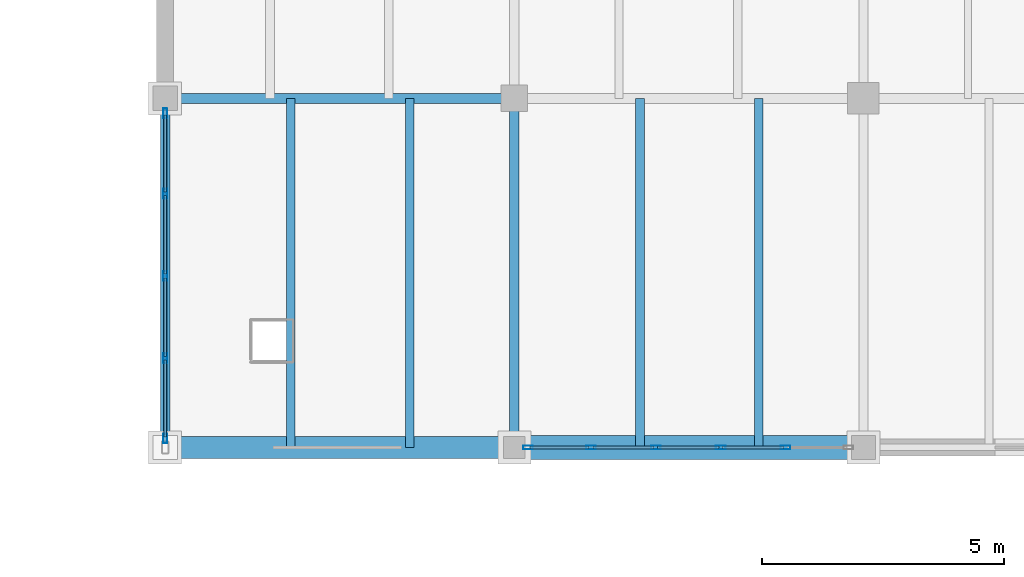
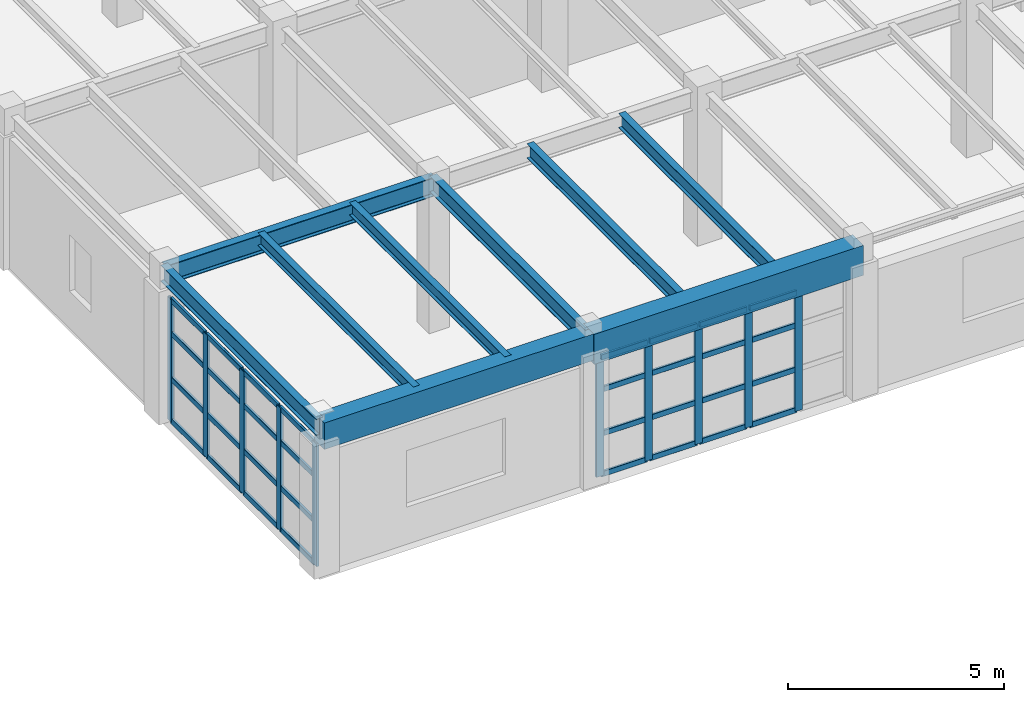
# One storey, part 55 of 137: 42 members, 9 beams, 2 elements without a shape of their own.
"""IFC4 building model written with IfcOpenShell, lengths in metres."""

from ifc_helpers import new_model, si_unit, direction, frame, origin, origin_2d, place, context, subcontext, project, spatial, rectangle, hollow_rectangle, i_section, extrude, material, layer, layer_set, material_profile, profile_set, type_object, element, aggregate, save


model = new_model("IFC4")

# Units and contexts
model_context = context("Model", 3, precision=1e-05, world=origin(), true_north=direction((0.0, 1.0)))
body_context = subcontext(model_context, "Body", "Model", "MODEL_VIEW")
ifc_project = project(units=[si_unit("LENGTHUNIT", "METRE"), si_unit("AREAUNIT", "SQUARE_METRE"), si_unit("VOLUMEUNIT", "CUBIC_METRE"), si_unit("PLANEANGLEUNIT", "RADIAN"), si_unit("MASSUNIT", "GRAM", prefix="KILO")], contexts=[model_context])

# Site, building, storey
site_placement = place(None, origin())
site = spatial("IfcSite", under=ifc_project, at=site_placement, CompositionType="ELEMENT")
building_placement = place(site_placement, origin())
building = spatial("IfcBuilding", under=site, at=building_placement, Name="Kemerveld Promenade Tramway Depot", CompositionType="ELEMENT")
storey_placement = place(building_placement, frame((0.0, 0.0, 5.39990234375)))
storey = spatial("IfcBuildingStorey", under=building, at=storey_placement, Name="L01", CompositionType="ELEMENT", Elevation=5.39990234375)

# Beams
ifc_material_1 = material(Name="Steel S355", Category="steel")
ifc_material_profile_1 = material_profile(ifc_material_1, i_section(OverallWidth=0.2099609375, OverallDepth=0.53662109375, WebThickness=0.0107421875, FlangeThickness=0.017333984375, FilletRadius=0.0126953125, at=origin_2d()), Name="533x210x101 UB")
ifc_profile_set_1 = profile_set([ifc_material_profile_1], Name="Steel S355")
beam_type_1 = type_object("IfcBeamType", Name="BM-G05", PredefinedType="BEAM", material=ifc_profile_set_1)
beam_1_placement = place(storey_placement, frame((115.199951171875, 57.60009765625, 3.9716796875), z_axis=(1.0, 0.0, 0.0), x_axis=(0.0, 1.0, 0.0)))
element("IfcBeam", 1, at=beam_1_placement, inside=storey, type_object=beam_type_1, Name="BMX-L01-17-18-J", PredefinedType="BEAM", context=body_context, shape_type="SweptSolid", body=[
    extrude(i_section(OverallWidth=0.2099609375, OverallDepth=0.53662109375, WebThickness=0.0107421875, FlangeThickness=0.017333984375, FilletRadius=0.0126953125, at=origin_2d()), origin(), (0.0, 0.0, 1.0), 7.199951171875),
])
ifc_material_profile_2 = material_profile(ifc_material_1, i_section(OverallWidth=0.19140625, OverallDepth=0.4599609375, WebThickness=0.010009765625, FlangeThickness=0.01611328125, FilletRadius=0.01025390625, at=origin_2d()), Name="457x191x82 UB")
ifc_profile_set_2 = profile_set([ifc_material_profile_2], Name="Steel S355")
beam_type_2 = type_object("IfcBeamType", Name="BM-G06", PredefinedType="BEAM", material=ifc_profile_set_2)
for number, where, z_axis, x_axis, name in (
    (2, (115.199951171875, 50.39990234375, 4.010009765625), (0.0, 1.0, 0.0), (-1.0, 0.0, 0.0), "BMY-L01-17-H-J"),
    (3, (122.39990234375, 50.39990234375, 4.010009765625), (0.0, 1.0, 0.0), (-1.0, 0.0, 0.0), "BMY-L01-18-H-J"),
):
    element("IfcBeam", number, at=place(storey_placement, frame(where, z_axis=z_axis, x_axis=x_axis)), inside=storey, type_object=beam_type_2, Name=name, PredefinedType="BEAM", context=body_context, shape_type="SweptSolid", body=[
        extrude(i_section(OverallWidth=0.19140625, OverallDepth=0.4599609375, WebThickness=0.010009765625, FlangeThickness=0.01611328125, FilletRadius=0.01025390625, at=origin_2d()), origin(), (0.0, 0.0, 1.0), 7.2001953125),
    ])
ifc_material_profile_3 = material_profile(ifc_material_1, i_section(OverallWidth=0.172119140625, OverallDepth=0.35791015625, WebThickness=0.008056640625, FlangeThickness=0.012939453125, FilletRadius=0.01025390625, at=origin_2d()), Name="356x171x57 UB")
ifc_profile_set_3 = profile_set([ifc_material_profile_3], Name="Steel S355")
beam_type_3 = type_object("IfcBeamType", Name="BM-J04", PredefinedType="JOIST", material=ifc_profile_set_3)
for number, where, z_axis, x_axis, name in (
    (4, (117.7919921875, 50.39990234375, 4.06103515625), (0.0, 1.0, 0.0), (-1.0, 0.0, 0.0), "JST-L01-17-H-1"),
    (5, (120.239990234375, 50.39990234375, 4.06103515625), (0.0, 1.0, 0.0), (-1.0, 0.0, 0.0), "JST-L01-17-H-2"),
):
    element("IfcBeam", number, at=place(storey_placement, frame(where, z_axis=z_axis, x_axis=x_axis)), inside=storey, type_object=beam_type_3, Name=name, PredefinedType="JOIST", context=body_context, shape_type="SweptSolid", body=[
        extrude(i_section(OverallWidth=0.172119140625, OverallDepth=0.35791015625, WebThickness=0.008056640625, FlangeThickness=0.012939453125, FilletRadius=0.01025390625, at=origin_2d()), origin(), (0.0, 0.0, 1.0), 7.2001953125),
    ])
ifc_material_profile_4 = material_profile(ifc_material_1, i_section(OverallWidth=0.1787109375, OverallDepth=0.409423828125, WebThickness=0.0087890625, FlangeThickness=0.014404296875, FilletRadius=0.01025390625, at=origin_2d()), Name="406x178x67 UB")
ifc_profile_set_4 = profile_set([ifc_material_profile_4], Name="Steel S355")
beam_type_4 = type_object("IfcBeamType", Name="BM-J05", PredefinedType="JOIST", material=ifc_profile_set_4)
for number, where, z_axis, x_axis, name in (
    (6, (124.991943359375, 50.39990234375, 4.035400390625), (0.0, 1.0, 0.0), (-1.0, 0.0, 0.0), "JST-L01-18-H-1"),
    (7, (127.43994140625, 50.39990234375, 4.035400390625), (0.0, 1.0, 0.0), (-1.0, 0.0, 0.0), "JST-L01-18-H-2"),
):
    element("IfcBeam", number, at=place(storey_placement, frame(where, z_axis=z_axis, x_axis=x_axis)), inside=storey, type_object=beam_type_4, Name=name, PredefinedType="JOIST", context=body_context, shape_type="SweptSolid", body=[
        extrude(i_section(OverallWidth=0.1787109375, OverallDepth=0.409423828125, WebThickness=0.0087890625, FlangeThickness=0.014404296875, FilletRadius=0.01025390625, at=origin_2d()), origin(), (0.0, 0.0, 1.0), 7.2001953125),
    ])
ifc_material_2 = material(Name="Concrete C40/50", Category="concrete")
ifc_material_profile_5 = material_profile(ifc_material_2, rectangle(XDim=0.449951171875, YDim=0.75, at=origin_2d()), Name="RC-BM-450x750")
ifc_profile_set_5 = profile_set([ifc_material_profile_5], Name="Concrete C40/50")
beam_type_5 = type_object("IfcBeamType", Name="BM-RC6", PredefinedType="BEAM", material=ifc_profile_set_5)
beam_2_placement = place(storey_placement, frame((115.199951171875, 50.39990234375, 3.864990234375), z_axis=(1.0, 0.0, 0.0), x_axis=(0.0, 1.0, 0.0)))
element("IfcBeam", 8, at=beam_2_placement, inside=storey, type_object=beam_type_5, Name="BMX-L01-17-18-H", PredefinedType="BEAM", context=body_context, shape_type="SweptSolid", body=[
    extrude(rectangle(XDim=0.449951171875, YDim=0.75, at=origin_2d()), origin(), (0.0, 0.0, 1.0), 7.199951171875),
])
ifc_material_profile_6 = material_profile(ifc_material_2, rectangle(XDim=0.5, YDim=0.85009765625, at=origin_2d()), Name="RC-BM-500x850")
ifc_profile_set_6 = profile_set([ifc_material_profile_6], Name="Concrete C40/50")
beam_type_6 = type_object("IfcBeamType", Name="BM-RC7", PredefinedType="BEAM", material=ifc_profile_set_6)
beam_3_placement = place(storey_placement, frame((122.39990234375, 50.39990234375, 3.815185546875), z_axis=(1.0, 0.0, 0.0), x_axis=(0.0, 1.0, 0.0)))
element("IfcBeam", 9, at=beam_3_placement, inside=storey, type_object=beam_type_6, Name="BMX-L01-18-19-H", PredefinedType="BEAM", context=body_context, shape_type="SweptSolid", body=[
    extrude(rectangle(XDim=0.5, YDim=0.85009765625, at=origin_2d()), origin(), (0.0, 0.0, 1.0), 7.2001953125),
])

# Curtain wall, members
ifc_material_3 = material(Name="Bronze anodised aluminium and solar glass", Category="aluminium")
ifc_layer_1 = layer(ifc_material_3, 0.199951171875)
ifc_layer_set_1 = layer_set([ifc_layer_1], Name="CW-SYS-04")
curtain_wall_type_1 = type_object("IfcCurtainWallType", Name="CW-SYS-04", PredefinedType="USERDEFINED", material=ifc_layer_set_1)
curtain_wall_1_placement = place(storey_placement, origin())
curtain_wall_1 = element("IfcCurtainWall", 10, at=curtain_wall_1_placement, inside=storey, type_object=curtain_wall_type_1, Name="CW-L01-V3W-01", ObjectType="GLAZED_CURTAIN_WALL", PredefinedType="USERDEFINED")
ifc_material_4 = material(Name="Bronze anodised aluminium", Category="aluminium")
ifc_material_profile_7 = material_profile(ifc_material_4, hollow_rectangle(XDim=0.074951171875, YDim=0.199951171875, WallThickness=0.0048828125, InnerFilletRadius=0.001953125, OuterFilletRadius=0.0048828125, at=origin_2d()), Name="CW-MUL-200x75")
ifc_profile_set_7 = profile_set([ifc_material_profile_7], Name="Bronze anodised aluminium")
member_type_1 = type_object("IfcMemberType", Name="CW-MUL-B", PredefinedType="MULLION", material=ifc_profile_set_7)
member_1_placement = place(storey_placement, frame((115.199951171875, 50.58251953125, 0.0), z_axis=(0.0, 0.0, 1.0), x_axis=(-1.0, 0.0, 0.0)))
member_1 = element("IfcMember", 11, at=member_1_placement, type_object=member_type_1, Name="CW04 mullion 1", PredefinedType="MULLION", context=body_context, shape_type="SweptSolid", body=[
    extrude(hollow_rectangle(XDim=0.074951171875, YDim=0.199951171875, WallThickness=0.0048828125, InnerFilletRadius=0.001953125, OuterFilletRadius=0.0048828125, at=origin_2d()), origin(), (0.0, 0.0, 1.0), 3.47021484375),
])
member_2_placement = place(storey_placement, frame((115.199951171875, 52.2412109375, 0.0), z_axis=(0.0, 0.0, 1.0), x_axis=(-1.0, 0.0, 0.0)))
member_2 = element("IfcMember", 12, at=member_2_placement, type_object=member_type_1, Name="CW04 mullion 2", PredefinedType="MULLION", context=body_context, shape_type="SweptSolid", body=[
    extrude(hollow_rectangle(XDim=0.074951171875, YDim=0.199951171875, WallThickness=0.0048828125, InnerFilletRadius=0.001953125, OuterFilletRadius=0.0048828125, at=origin_2d()), origin(), (0.0, 0.0, 1.0), 3.47021484375),
])
member_3_placement = place(storey_placement, frame((115.199951171875, 53.9375, 0.0), z_axis=(0.0, 0.0, 1.0), x_axis=(-1.0, 0.0, 0.0)))
member_3 = element("IfcMember", 13, at=member_3_placement, type_object=member_type_1, Name="CW04 mullion 3", PredefinedType="MULLION", context=body_context, shape_type="SweptSolid", body=[
    extrude(hollow_rectangle(XDim=0.074951171875, YDim=0.199951171875, WallThickness=0.0048828125, InnerFilletRadius=0.001953125, OuterFilletRadius=0.0048828125, at=origin_2d()), origin(), (0.0, 0.0, 1.0), 3.47021484375),
])
member_4_placement = place(storey_placement, frame((115.199951171875, 55.6337890625, 0.0), z_axis=(0.0, 0.0, 1.0), x_axis=(-1.0, 0.0, 0.0)))
member_4 = element("IfcMember", 14, at=member_4_placement, type_object=member_type_1, Name="CW04 mullion 4", PredefinedType="MULLION", context=body_context, shape_type="SweptSolid", body=[
    extrude(hollow_rectangle(XDim=0.074951171875, YDim=0.199951171875, WallThickness=0.0048828125, InnerFilletRadius=0.001953125, OuterFilletRadius=0.0048828125, at=origin_2d()), origin(), (0.0, 0.0, 1.0), 3.47021484375),
])
member_5_placement = place(storey_placement, frame((115.199951171875, 57.29248046875, 0.0), z_axis=(0.0, 0.0, 1.0), x_axis=(-1.0, 0.0, 0.0)))
member_5 = element("IfcMember", 15, at=member_5_placement, type_object=member_type_1, Name="CW04 mullion 5", PredefinedType="MULLION", context=body_context, shape_type="SweptSolid", body=[
    extrude(hollow_rectangle(XDim=0.074951171875, YDim=0.199951171875, WallThickness=0.0048828125, InnerFilletRadius=0.001953125, OuterFilletRadius=0.0048828125, at=origin_2d()), origin(), (0.0, 0.0, 1.0), 3.47021484375),
])

ifc_layer_2 = layer(ifc_material_3, 0.199951171875)
ifc_layer_set_2 = layer_set([ifc_layer_2], Name="CW-SYS-08")
curtain_wall_type_2 = type_object("IfcCurtainWallType", Name="CW-SYS-08", PredefinedType="USERDEFINED", material=ifc_layer_set_2)
curtain_wall_2_placement = place(storey_placement, origin())
curtain_wall_2 = element("IfcCurtainWall", 16, at=curtain_wall_2_placement, inside=storey, type_object=curtain_wall_type_2, Name="CW-L01-V3S-05", ObjectType="GLAZED_CURTAIN_WALL", PredefinedType="USERDEFINED")
member_6_placement = place(storey_placement, frame((127.992919921875, 50.39990234375, 0.0), z_axis=(0.0, 0.0, 1.0), x_axis=(0.0, -1.0, 0.0)))
member_6 = element("IfcMember", 17, at=member_6_placement, type_object=member_type_1, Name="CW08 mullion 2", PredefinedType="MULLION", context=body_context, shape_type="SweptSolid", body=[
    extrude(hollow_rectangle(XDim=0.074951171875, YDim=0.199951171875, WallThickness=0.0048828125, InnerFilletRadius=0.001953125, OuterFilletRadius=0.0048828125, at=origin_2d()), origin(), (0.0, 0.0, 1.0), 3.3701171875),
])
member_7_placement = place(storey_placement, frame((126.656005859375, 50.39990234375, 0.0), z_axis=(0.0, 0.0, 1.0), x_axis=(0.0, -1.0, 0.0)))
member_7 = element("IfcMember", 18, at=member_7_placement, type_object=member_type_1, Name="CW08 mullion 3", PredefinedType="MULLION", context=body_context, shape_type="SweptSolid", body=[
    extrude(hollow_rectangle(XDim=0.074951171875, YDim=0.199951171875, WallThickness=0.0048828125, InnerFilletRadius=0.001953125, OuterFilletRadius=0.0048828125, at=origin_2d()), origin(), (0.0, 0.0, 1.0), 3.3701171875),
])
member_8_placement = place(storey_placement, frame((125.319091796875, 50.39990234375, 0.0), z_axis=(0.0, 0.0, 1.0), x_axis=(0.0, -1.0, 0.0)))
member_8 = element("IfcMember", 19, at=member_8_placement, type_object=member_type_1, Name="CW08 mullion 4", PredefinedType="MULLION", context=body_context, shape_type="SweptSolid", body=[
    extrude(hollow_rectangle(XDim=0.074951171875, YDim=0.199951171875, WallThickness=0.0048828125, InnerFilletRadius=0.001953125, OuterFilletRadius=0.0048828125, at=origin_2d()), origin(), (0.0, 0.0, 1.0), 3.3701171875),
])
member_9_placement = place(storey_placement, frame((123.98193359375, 50.39990234375, 0.0), z_axis=(0.0, 0.0, 1.0), x_axis=(0.0, -1.0, 0.0)))
member_9 = element("IfcMember", 20, at=member_9_placement, type_object=member_type_1, Name="CW08 mullion 5", PredefinedType="MULLION", context=body_context, shape_type="SweptSolid", body=[
    extrude(hollow_rectangle(XDim=0.074951171875, YDim=0.199951171875, WallThickness=0.0048828125, InnerFilletRadius=0.001953125, OuterFilletRadius=0.0048828125, at=origin_2d()), origin(), (0.0, 0.0, 1.0), 3.3701171875),
])
member_10_placement = place(storey_placement, frame((122.6826171875, 50.39990234375, 0.0), z_axis=(0.0, 0.0, 1.0), x_axis=(0.0, -1.0, 0.0)))
member_10 = element("IfcMember", 21, at=member_10_placement, type_object=member_type_1, Name="CW08 mullion 6", PredefinedType="MULLION", context=body_context, shape_type="SweptSolid", body=[
    extrude(hollow_rectangle(XDim=0.074951171875, YDim=0.199951171875, WallThickness=0.0048828125, InnerFilletRadius=0.001953125, OuterFilletRadius=0.0048828125, at=origin_2d()), origin(), (0.0, 0.0, 1.0), 3.3701171875),
])

# Member
ifc_material_profile_8 = material_profile(ifc_material_4, hollow_rectangle(XDim=0.06494140625, YDim=0.14990234375, WallThickness=0.00439453125, InnerFilletRadius=0.001953125, OuterFilletRadius=0.00439453125, at=origin_2d()), Name="CW-TRN-150x65")
ifc_profile_set_8 = profile_set([ifc_material_profile_8], Name="Bronze anodised aluminium")
member_type_2 = type_object("IfcMemberType", Name="CW-TRN-B", PredefinedType="USERDEFINED", material=ifc_profile_set_8)
member_11_placement = place(storey_placement, frame((115.199951171875, 50.6201171875, 0.03271484375), z_axis=(0.0, 1.0, 0.0), x_axis=(-1.0, 0.0, 0.0)))
member_11 = element("IfcMember", 22, at=member_11_placement, type_object=member_type_2, Name="CW04 transom 1.1", ObjectType="TRANSOM", PredefinedType="USERDEFINED", context=body_context, shape_type="SweptSolid", body=[
    extrude(hollow_rectangle(XDim=0.06494140625, YDim=0.14990234375, WallThickness=0.00439453125, InnerFilletRadius=0.001953125, OuterFilletRadius=0.00439453125, at=origin_2d()), origin(), (0.0, 0.0, 1.0), 1.583740234375),
])

member_12_placement = place(storey_placement, frame((115.199951171875, 50.6201171875, 1.214111328125), z_axis=(0.0, 1.0, 0.0), x_axis=(-1.0, 0.0, 0.0)))
member_12 = element("IfcMember", 23, at=member_12_placement, type_object=member_type_2, Name="CW04 transom 1.2", ObjectType="TRANSOM", PredefinedType="USERDEFINED", context=body_context, shape_type="SweptSolid", body=[
    extrude(hollow_rectangle(XDim=0.06494140625, YDim=0.14990234375, WallThickness=0.00439453125, InnerFilletRadius=0.001953125, OuterFilletRadius=0.00439453125, at=origin_2d()), origin(), (0.0, 0.0, 1.0), 1.583740234375),
])

member_13_placement = place(storey_placement, frame((115.199951171875, 50.6201171875, 2.498046875), z_axis=(0.0, 1.0, 0.0), x_axis=(-1.0, 0.0, 0.0)))
member_13 = element("IfcMember", 24, at=member_13_placement, type_object=member_type_2, Name="CW04 transom 1.3", ObjectType="TRANSOM", PredefinedType="USERDEFINED", context=body_context, shape_type="SweptSolid", body=[
    extrude(hollow_rectangle(XDim=0.06494140625, YDim=0.14990234375, WallThickness=0.00439453125, InnerFilletRadius=0.001953125, OuterFilletRadius=0.00439453125, at=origin_2d()), origin(), (0.0, 0.0, 1.0), 1.583740234375),
])

member_14_placement = place(storey_placement, frame((115.199951171875, 50.6201171875, 3.4375), z_axis=(0.0, 1.0, 0.0), x_axis=(-1.0, 0.0, 0.0)))
member_14 = element("IfcMember", 25, at=member_14_placement, type_object=member_type_2, Name="CW04 transom 1.4", ObjectType="TRANSOM", PredefinedType="USERDEFINED", context=body_context, shape_type="SweptSolid", body=[
    extrude(hollow_rectangle(XDim=0.06494140625, YDim=0.14990234375, WallThickness=0.00439453125, InnerFilletRadius=0.001953125, OuterFilletRadius=0.00439453125, at=origin_2d()), origin(), (0.0, 0.0, 1.0), 1.583740234375),
])

member_15_placement = place(storey_placement, frame((115.199951171875, 52.27880859375, 0.03271484375), z_axis=(0.0, 1.0, 0.0), x_axis=(-1.0, 0.0, 0.0)))
member_15 = element("IfcMember", 26, at=member_15_placement, type_object=member_type_2, Name="CW04 transom 2.1", ObjectType="TRANSOM", PredefinedType="USERDEFINED", context=body_context, shape_type="SweptSolid", body=[
    extrude(hollow_rectangle(XDim=0.06494140625, YDim=0.14990234375, WallThickness=0.00439453125, InnerFilletRadius=0.001953125, OuterFilletRadius=0.00439453125, at=origin_2d()), origin(), (0.0, 0.0, 1.0), 1.62109375),
])

member_16_placement = place(storey_placement, frame((115.199951171875, 52.27880859375, 1.214111328125), z_axis=(0.0, 1.0, 0.0), x_axis=(-1.0, 0.0, 0.0)))
member_16 = element("IfcMember", 27, at=member_16_placement, type_object=member_type_2, Name="CW04 transom 2.2", ObjectType="TRANSOM", PredefinedType="USERDEFINED", context=body_context, shape_type="SweptSolid", body=[
    extrude(hollow_rectangle(XDim=0.06494140625, YDim=0.14990234375, WallThickness=0.00439453125, InnerFilletRadius=0.001953125, OuterFilletRadius=0.00439453125, at=origin_2d()), origin(), (0.0, 0.0, 1.0), 1.62109375),
])

member_17_placement = place(storey_placement, frame((115.199951171875, 52.27880859375, 2.498046875), z_axis=(0.0, 1.0, 0.0), x_axis=(-1.0, 0.0, 0.0)))
member_17 = element("IfcMember", 28, at=member_17_placement, type_object=member_type_2, Name="CW04 transom 2.3", ObjectType="TRANSOM", PredefinedType="USERDEFINED", context=body_context, shape_type="SweptSolid", body=[
    extrude(hollow_rectangle(XDim=0.06494140625, YDim=0.14990234375, WallThickness=0.00439453125, InnerFilletRadius=0.001953125, OuterFilletRadius=0.00439453125, at=origin_2d()), origin(), (0.0, 0.0, 1.0), 1.62109375),
])

member_18_placement = place(storey_placement, frame((115.199951171875, 52.27880859375, 3.4375), z_axis=(0.0, 1.0, 0.0), x_axis=(-1.0, 0.0, 0.0)))
member_18 = element("IfcMember", 29, at=member_18_placement, type_object=member_type_2, Name="CW04 transom 2.4", ObjectType="TRANSOM", PredefinedType="USERDEFINED", context=body_context, shape_type="SweptSolid", body=[
    extrude(hollow_rectangle(XDim=0.06494140625, YDim=0.14990234375, WallThickness=0.00439453125, InnerFilletRadius=0.001953125, OuterFilletRadius=0.00439453125, at=origin_2d()), origin(), (0.0, 0.0, 1.0), 1.62109375),
])

member_19_placement = place(storey_placement, frame((115.199951171875, 53.97509765625, 0.03271484375), z_axis=(0.0, 1.0, 0.0), x_axis=(-1.0, 0.0, 0.0)))
member_19 = element("IfcMember", 30, at=member_19_placement, type_object=member_type_2, Name="CW04 transom 3.1", ObjectType="TRANSOM", PredefinedType="USERDEFINED", context=body_context, shape_type="SweptSolid", body=[
    extrude(hollow_rectangle(XDim=0.06494140625, YDim=0.14990234375, WallThickness=0.00439453125, InnerFilletRadius=0.001953125, OuterFilletRadius=0.00439453125, at=origin_2d()), origin(), (0.0, 0.0, 1.0), 1.62109375),
])

member_20_placement = place(storey_placement, frame((115.199951171875, 53.97509765625, 1.214111328125), z_axis=(0.0, 1.0, 0.0), x_axis=(-1.0, 0.0, 0.0)))
member_20 = element("IfcMember", 31, at=member_20_placement, type_object=member_type_2, Name="CW04 transom 3.2", ObjectType="TRANSOM", PredefinedType="USERDEFINED", context=body_context, shape_type="SweptSolid", body=[
    extrude(hollow_rectangle(XDim=0.06494140625, YDim=0.14990234375, WallThickness=0.00439453125, InnerFilletRadius=0.001953125, OuterFilletRadius=0.00439453125, at=origin_2d()), origin(), (0.0, 0.0, 1.0), 1.62109375),
])

member_21_placement = place(storey_placement, frame((115.199951171875, 53.97509765625, 2.498046875), z_axis=(0.0, 1.0, 0.0), x_axis=(-1.0, 0.0, 0.0)))
member_21 = element("IfcMember", 32, at=member_21_placement, type_object=member_type_2, Name="CW04 transom 3.3", ObjectType="TRANSOM", PredefinedType="USERDEFINED", context=body_context, shape_type="SweptSolid", body=[
    extrude(hollow_rectangle(XDim=0.06494140625, YDim=0.14990234375, WallThickness=0.00439453125, InnerFilletRadius=0.001953125, OuterFilletRadius=0.00439453125, at=origin_2d()), origin(), (0.0, 0.0, 1.0), 1.62109375),
])

member_22_placement = place(storey_placement, frame((115.199951171875, 53.97509765625, 3.4375), z_axis=(0.0, 1.0, 0.0), x_axis=(-1.0, 0.0, 0.0)))
member_22 = element("IfcMember", 33, at=member_22_placement, type_object=member_type_2, Name="CW04 transom 3.4", ObjectType="TRANSOM", PredefinedType="USERDEFINED", context=body_context, shape_type="SweptSolid", body=[
    extrude(hollow_rectangle(XDim=0.06494140625, YDim=0.14990234375, WallThickness=0.00439453125, InnerFilletRadius=0.001953125, OuterFilletRadius=0.00439453125, at=origin_2d()), origin(), (0.0, 0.0, 1.0), 1.62109375),
])

member_23_placement = place(storey_placement, frame((115.199951171875, 55.671142578125, 0.03271484375), z_axis=(0.0, 1.0, 0.0), x_axis=(-1.0, 0.0, 0.0)))
member_23 = element("IfcMember", 34, at=member_23_placement, type_object=member_type_2, Name="CW04 transom 4.1", ObjectType="TRANSOM", PredefinedType="USERDEFINED", context=body_context, shape_type="SweptSolid", body=[
    extrude(hollow_rectangle(XDim=0.06494140625, YDim=0.14990234375, WallThickness=0.00439453125, InnerFilletRadius=0.001953125, OuterFilletRadius=0.00439453125, at=origin_2d()), origin(), (0.0, 0.0, 1.0), 1.583740234375),
])

member_24_placement = place(storey_placement, frame((115.199951171875, 55.671142578125, 1.214111328125), z_axis=(0.0, 1.0, 0.0), x_axis=(-1.0, 0.0, 0.0)))
member_24 = element("IfcMember", 35, at=member_24_placement, type_object=member_type_2, Name="CW04 transom 4.2", ObjectType="TRANSOM", PredefinedType="USERDEFINED", context=body_context, shape_type="SweptSolid", body=[
    extrude(hollow_rectangle(XDim=0.06494140625, YDim=0.14990234375, WallThickness=0.00439453125, InnerFilletRadius=0.001953125, OuterFilletRadius=0.00439453125, at=origin_2d()), origin(), (0.0, 0.0, 1.0), 1.583740234375),
])

member_25_placement = place(storey_placement, frame((115.199951171875, 55.671142578125, 2.498046875), z_axis=(0.0, 1.0, 0.0), x_axis=(-1.0, 0.0, 0.0)))
member_25 = element("IfcMember", 36, at=member_25_placement, type_object=member_type_2, Name="CW04 transom 4.3", ObjectType="TRANSOM", PredefinedType="USERDEFINED", context=body_context, shape_type="SweptSolid", body=[
    extrude(hollow_rectangle(XDim=0.06494140625, YDim=0.14990234375, WallThickness=0.00439453125, InnerFilletRadius=0.001953125, OuterFilletRadius=0.00439453125, at=origin_2d()), origin(), (0.0, 0.0, 1.0), 1.583740234375),
])

member_26_placement = place(storey_placement, frame((115.199951171875, 55.671142578125, 3.4375), z_axis=(0.0, 1.0, 0.0), x_axis=(-1.0, 0.0, 0.0)))
member_26 = element("IfcMember", 37, at=member_26_placement, type_object=member_type_2, Name="CW04 transom 4.4", ObjectType="TRANSOM", PredefinedType="USERDEFINED", context=body_context, shape_type="SweptSolid", body=[
    extrude(hollow_rectangle(XDim=0.06494140625, YDim=0.14990234375, WallThickness=0.00439453125, InnerFilletRadius=0.001953125, OuterFilletRadius=0.00439453125, at=origin_2d()), origin(), (0.0, 0.0, 1.0), 1.583740234375),
])

aggregate(curtain_wall_1, [member_1, member_2, member_3, member_4, member_5, member_11, member_12, member_13, member_14, member_15, member_16, member_17, member_18, member_19, member_20, member_21, member_22, member_23, member_24, member_25, member_26])

member_27_placement = place(storey_placement, frame((127.95556640625, 50.39990234375, 0.03271484375), z_axis=(-1.0, 0.0, 0.0), x_axis=(0.0, -1.0, 0.0)))
member_27 = element("IfcMember", 38, at=member_27_placement, type_object=member_type_2, Name="CW08 transom 2.1", ObjectType="TRANSOM", PredefinedType="USERDEFINED", context=body_context, shape_type="SweptSolid", body=[
    extrude(hollow_rectangle(XDim=0.06494140625, YDim=0.14990234375, WallThickness=0.00439453125, InnerFilletRadius=0.001953125, OuterFilletRadius=0.00439453125, at=origin_2d()), origin(), (0.0, 0.0, 1.0), 1.261962890625),
])

member_28_placement = place(storey_placement, frame((127.95556640625, 50.39990234375, 1.17919921875), z_axis=(-1.0, 0.0, 0.0), x_axis=(0.0, -1.0, 0.0)))
member_28 = element("IfcMember", 39, at=member_28_placement, type_object=member_type_2, Name="CW08 transom 2.2", ObjectType="TRANSOM", PredefinedType="USERDEFINED", context=body_context, shape_type="SweptSolid", body=[
    extrude(hollow_rectangle(XDim=0.06494140625, YDim=0.14990234375, WallThickness=0.00439453125, InnerFilletRadius=0.001953125, OuterFilletRadius=0.00439453125, at=origin_2d()), origin(), (0.0, 0.0, 1.0), 1.261962890625),
])

member_29_placement = place(storey_placement, frame((127.95556640625, 50.39990234375, 2.426025390625), z_axis=(-1.0, 0.0, 0.0), x_axis=(0.0, -1.0, 0.0)))
member_29 = element("IfcMember", 40, at=member_29_placement, type_object=member_type_2, Name="CW08 transom 2.3", ObjectType="TRANSOM", PredefinedType="USERDEFINED", context=body_context, shape_type="SweptSolid", body=[
    extrude(hollow_rectangle(XDim=0.06494140625, YDim=0.14990234375, WallThickness=0.00439453125, InnerFilletRadius=0.001953125, OuterFilletRadius=0.00439453125, at=origin_2d()), origin(), (0.0, 0.0, 1.0), 1.261962890625),
])

member_30_placement = place(storey_placement, frame((127.95556640625, 50.39990234375, 3.337646484375), z_axis=(-1.0, 0.0, 0.0), x_axis=(0.0, -1.0, 0.0)))
member_30 = element("IfcMember", 41, at=member_30_placement, type_object=member_type_2, Name="CW08 transom 2.4", ObjectType="TRANSOM", PredefinedType="USERDEFINED", context=body_context, shape_type="SweptSolid", body=[
    extrude(hollow_rectangle(XDim=0.06494140625, YDim=0.14990234375, WallThickness=0.00439453125, InnerFilletRadius=0.001953125, OuterFilletRadius=0.00439453125, at=origin_2d()), origin(), (0.0, 0.0, 1.0), 1.261962890625),
])

member_31_placement = place(storey_placement, frame((126.618408203125, 50.39990234375, 0.03271484375), z_axis=(-1.0, 0.0, 0.0), x_axis=(0.0, -1.0, 0.0)))
member_31 = element("IfcMember", 42, at=member_31_placement, type_object=member_type_2, Name="CW08 transom 3.1", ObjectType="TRANSOM", PredefinedType="USERDEFINED", context=body_context, shape_type="SweptSolid", body=[
    extrude(hollow_rectangle(XDim=0.06494140625, YDim=0.14990234375, WallThickness=0.00439453125, InnerFilletRadius=0.001953125, OuterFilletRadius=0.00439453125, at=origin_2d()), origin(), (0.0, 0.0, 1.0), 1.261962890625),
])

member_32_placement = place(storey_placement, frame((126.618408203125, 50.39990234375, 1.17919921875), z_axis=(-1.0, 0.0, 0.0), x_axis=(0.0, -1.0, 0.0)))
member_32 = element("IfcMember", 43, at=member_32_placement, type_object=member_type_2, Name="CW08 transom 3.2", ObjectType="TRANSOM", PredefinedType="USERDEFINED", context=body_context, shape_type="SweptSolid", body=[
    extrude(hollow_rectangle(XDim=0.06494140625, YDim=0.14990234375, WallThickness=0.00439453125, InnerFilletRadius=0.001953125, OuterFilletRadius=0.00439453125, at=origin_2d()), origin(), (0.0, 0.0, 1.0), 1.261962890625),
])

member_33_placement = place(storey_placement, frame((126.618408203125, 50.39990234375, 2.426025390625), z_axis=(-1.0, 0.0, 0.0), x_axis=(0.0, -1.0, 0.0)))
member_33 = element("IfcMember", 44, at=member_33_placement, type_object=member_type_2, Name="CW08 transom 3.3", ObjectType="TRANSOM", PredefinedType="USERDEFINED", context=body_context, shape_type="SweptSolid", body=[
    extrude(hollow_rectangle(XDim=0.06494140625, YDim=0.14990234375, WallThickness=0.00439453125, InnerFilletRadius=0.001953125, OuterFilletRadius=0.00439453125, at=origin_2d()), origin(), (0.0, 0.0, 1.0), 1.261962890625),
])

member_34_placement = place(storey_placement, frame((126.618408203125, 50.39990234375, 3.337646484375), z_axis=(-1.0, 0.0, 0.0), x_axis=(0.0, -1.0, 0.0)))
member_34 = element("IfcMember", 45, at=member_34_placement, type_object=member_type_2, Name="CW08 transom 3.4", ObjectType="TRANSOM", PredefinedType="USERDEFINED", context=body_context, shape_type="SweptSolid", body=[
    extrude(hollow_rectangle(XDim=0.06494140625, YDim=0.14990234375, WallThickness=0.00439453125, InnerFilletRadius=0.001953125, OuterFilletRadius=0.00439453125, at=origin_2d()), origin(), (0.0, 0.0, 1.0), 1.261962890625),
])

member_35_placement = place(storey_placement, frame((125.281494140625, 50.39990234375, 0.03271484375), z_axis=(-1.0, 0.0, 0.0), x_axis=(0.0, -1.0, 0.0)))
member_35 = element("IfcMember", 46, at=member_35_placement, type_object=member_type_2, Name="CW08 transom 4.1", ObjectType="TRANSOM", PredefinedType="USERDEFINED", context=body_context, shape_type="SweptSolid", body=[
    extrude(hollow_rectangle(XDim=0.06494140625, YDim=0.14990234375, WallThickness=0.00439453125, InnerFilletRadius=0.001953125, OuterFilletRadius=0.00439453125, at=origin_2d()), origin(), (0.0, 0.0, 1.0), 1.261962890625),
])

member_36_placement = place(storey_placement, frame((125.281494140625, 50.39990234375, 1.17919921875), z_axis=(-1.0, 0.0, 0.0), x_axis=(0.0, -1.0, 0.0)))
member_36 = element("IfcMember", 47, at=member_36_placement, type_object=member_type_2, Name="CW08 transom 4.2", ObjectType="TRANSOM", PredefinedType="USERDEFINED", context=body_context, shape_type="SweptSolid", body=[
    extrude(hollow_rectangle(XDim=0.06494140625, YDim=0.14990234375, WallThickness=0.00439453125, InnerFilletRadius=0.001953125, OuterFilletRadius=0.00439453125, at=origin_2d()), origin(), (0.0, 0.0, 1.0), 1.261962890625),
])

member_37_placement = place(storey_placement, frame((125.281494140625, 50.39990234375, 2.426025390625), z_axis=(-1.0, 0.0, 0.0), x_axis=(0.0, -1.0, 0.0)))
member_37 = element("IfcMember", 48, at=member_37_placement, type_object=member_type_2, Name="CW08 transom 4.3", ObjectType="TRANSOM", PredefinedType="USERDEFINED", context=body_context, shape_type="SweptSolid", body=[
    extrude(hollow_rectangle(XDim=0.06494140625, YDim=0.14990234375, WallThickness=0.00439453125, InnerFilletRadius=0.001953125, OuterFilletRadius=0.00439453125, at=origin_2d()), origin(), (0.0, 0.0, 1.0), 1.261962890625),
])

member_38_placement = place(storey_placement, frame((125.281494140625, 50.39990234375, 3.337646484375), z_axis=(-1.0, 0.0, 0.0), x_axis=(0.0, -1.0, 0.0)))
member_38 = element("IfcMember", 49, at=member_38_placement, type_object=member_type_2, Name="CW08 transom 4.4", ObjectType="TRANSOM", PredefinedType="USERDEFINED", context=body_context, shape_type="SweptSolid", body=[
    extrude(hollow_rectangle(XDim=0.06494140625, YDim=0.14990234375, WallThickness=0.00439453125, InnerFilletRadius=0.001953125, OuterFilletRadius=0.00439453125, at=origin_2d()), origin(), (0.0, 0.0, 1.0), 1.261962890625),
])

member_39_placement = place(storey_placement, frame((123.944580078125, 50.39990234375, 0.03271484375), z_axis=(-1.0, 0.0, 0.0), x_axis=(0.0, -1.0, 0.0)))
member_39 = element("IfcMember", 50, at=member_39_placement, type_object=member_type_2, Name="CW08 transom 5.1", ObjectType="TRANSOM", PredefinedType="USERDEFINED", context=body_context, shape_type="SweptSolid", body=[
    extrude(hollow_rectangle(XDim=0.06494140625, YDim=0.14990234375, WallThickness=0.00439453125, InnerFilletRadius=0.001953125, OuterFilletRadius=0.00439453125, at=origin_2d()), origin(), (0.0, 0.0, 1.0), 1.224609375),
])

member_40_placement = place(storey_placement, frame((123.944580078125, 50.39990234375, 1.17919921875), z_axis=(-1.0, 0.0, 0.0), x_axis=(0.0, -1.0, 0.0)))
member_40 = element("IfcMember", 51, at=member_40_placement, type_object=member_type_2, Name="CW08 transom 5.2", ObjectType="TRANSOM", PredefinedType="USERDEFINED", context=body_context, shape_type="SweptSolid", body=[
    extrude(hollow_rectangle(XDim=0.06494140625, YDim=0.14990234375, WallThickness=0.00439453125, InnerFilletRadius=0.001953125, OuterFilletRadius=0.00439453125, at=origin_2d()), origin(), (0.0, 0.0, 1.0), 1.224609375),
])

member_41_placement = place(storey_placement, frame((123.944580078125, 50.39990234375, 2.426025390625), z_axis=(-1.0, 0.0, 0.0), x_axis=(0.0, -1.0, 0.0)))
member_41 = element("IfcMember", 52, at=member_41_placement, type_object=member_type_2, Name="CW08 transom 5.3", ObjectType="TRANSOM", PredefinedType="USERDEFINED", context=body_context, shape_type="SweptSolid", body=[
    extrude(hollow_rectangle(XDim=0.06494140625, YDim=0.14990234375, WallThickness=0.00439453125, InnerFilletRadius=0.001953125, OuterFilletRadius=0.00439453125, at=origin_2d()), origin(), (0.0, 0.0, 1.0), 1.224609375),
])

member_42_placement = place(storey_placement, frame((123.944580078125, 50.39990234375, 3.337646484375), z_axis=(-1.0, 0.0, 0.0), x_axis=(0.0, -1.0, 0.0)))
member_42 = element("IfcMember", 53, at=member_42_placement, type_object=member_type_2, Name="CW08 transom 5.4", ObjectType="TRANSOM", PredefinedType="USERDEFINED", context=body_context, shape_type="SweptSolid", body=[
    extrude(hollow_rectangle(XDim=0.06494140625, YDim=0.14990234375, WallThickness=0.00439453125, InnerFilletRadius=0.001953125, OuterFilletRadius=0.00439453125, at=origin_2d()), origin(), (0.0, 0.0, 1.0), 1.224609375),
])

aggregate(curtain_wall_2, [member_6, member_7, member_8, member_9, member_10, member_27, member_28, member_29, member_30, member_31, member_32, member_33, member_34, member_35, member_36, member_37, member_38, member_39, member_40, member_41, member_42])

save(model, "model.ifc")
